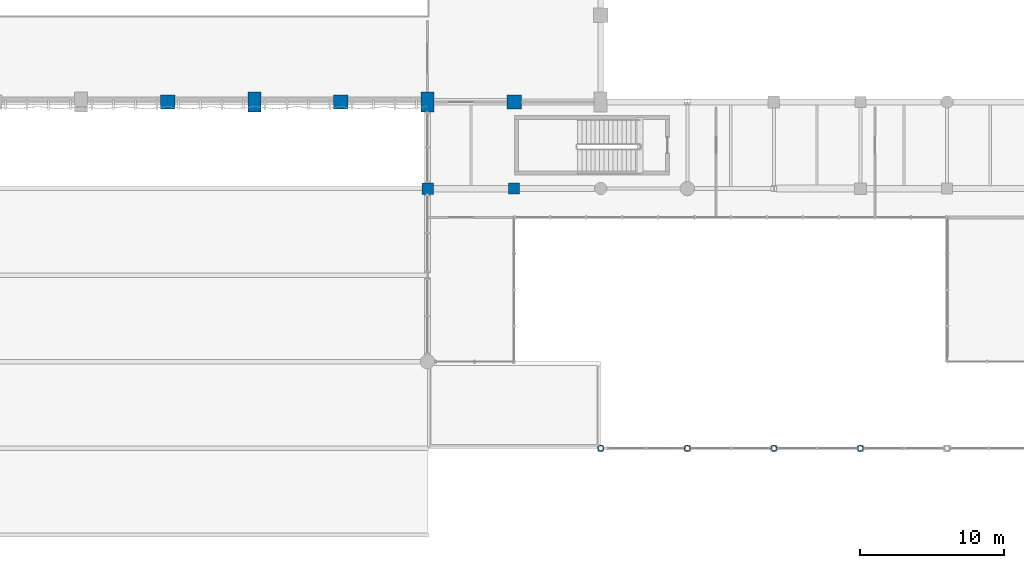
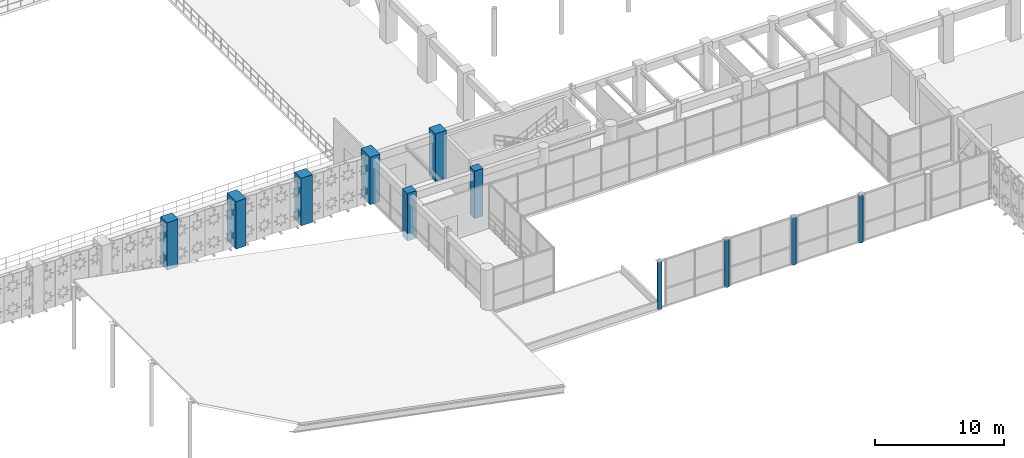
# One storey, part 3 of 133: 11 columns.
"""IFC4 building model written with IfcOpenShell, lengths in metres."""

from ifc_helpers import new_model, si_unit, direction, frame, origin, origin_2d, place, context, subcontext, project, spatial, rectangle, hollow_circle, extrude, material, material_profile, profile_set, type_object, element, save


model = new_model("IFC4")

# Units and contexts
model_context = context("Model", 3, precision=1e-05, world=origin(), true_north=direction((0.0, 1.0)))
body_context = subcontext(model_context, "Body", "Model", "MODEL_VIEW")
ifc_project = project(units=[si_unit("LENGTHUNIT", "METRE"), si_unit("AREAUNIT", "SQUARE_METRE"), si_unit("VOLUMEUNIT", "CUBIC_METRE"), si_unit("PLANEANGLEUNIT", "RADIAN"), si_unit("MASSUNIT", "GRAM", prefix="KILO"), si_unit("THERMODYNAMICTEMPERATUREUNIT", "KELVIN"), si_unit("POWERUNIT", "WATT")], contexts=[model_context])

# Site, building, storey
site_placement = place(None, origin())
site = spatial("IfcSite", under=ifc_project, at=site_placement, CompositionType="ELEMENT")
building_placement = place(site_placement, origin())
building = spatial("IfcBuilding", under=site, at=building_placement, Name="Phaisarnlok Congress Hotel", CompositionType="ELEMENT")
storey_placement = place(building_placement, frame((0.0, 0.0, 6.0)))
storey = spatial("IfcBuildingStorey", under=building, at=storey_placement, Name="L01", CompositionType="ELEMENT", Elevation=6.0)

# Columns
ifc_material_1 = material(Name="Concrete C50/60", Category="concrete")
ifc_material_profile_1 = material_profile(ifc_material_1, rectangle(XDim=1.0, YDim=1.0, at=origin_2d()), Name="RC 1000x1000")
ifc_profile_set_1 = profile_set([ifc_material_profile_1], Name="Concrete C50/60")
column_type_1 = type_object("IfcColumnType", Name="COL-RC-1000", PredefinedType="COLUMN", material=ifc_profile_set_1)
for number, where, z_axis, x_axis, name in (
    (1, (36.0, 42.0, 0.0), (0.0, 0.0, 1.0), (1.0, 0.0, 0.0), "Column C-09 (L01)"),
    (2, (48.0, 42.0, 0.0), (0.0, 0.0, 1.0), (1.0, 0.0, 0.0), "Column C-09 (L01)"),
    (3, (60.0, 42.0, 0.0), (0.0, 0.0, 1.0), (1.0, 0.0, 0.0), "Column C-09 (L01)"),
):
    element("IfcColumn", number, at=place(storey_placement, frame(where, z_axis=z_axis, x_axis=x_axis)), inside=storey, type_object=column_type_1, Name=name, PredefinedType="COLUMN", context=body_context, shape_type="SweptSolid", body=[
        extrude(rectangle(XDim=1.0, YDim=1.0, at=origin_2d()), origin(), (0.0, 0.0, 1.0), 4.5),
    ])
ifc_material_profile_2 = material_profile(ifc_material_1, rectangle(XDim=0.75, YDim=0.75, at=origin_2d()), Name="RC 750x750")
ifc_profile_set_2 = profile_set([ifc_material_profile_2], Name="Concrete C50/60")
column_type_2 = type_object("IfcColumnType", Name="COL-RC-750", PredefinedType="COLUMN", material=ifc_profile_set_2)
column_1_placement = place(storey_placement, frame((60.0, 36.0, 0.0), z_axis=(0.0, 0.0, 1.0), x_axis=(1.0, 0.0, 0.0)))
element("IfcColumn", 4, at=column_1_placement, inside=storey, type_object=column_type_2, Name="Column C-06 (L01)", PredefinedType="COLUMN", context=body_context, shape_type="SweptSolid", body=[
    extrude(rectangle(XDim=0.75, YDim=0.75, at=origin_2d()), origin(), (0.0, 0.0, 1.0), 4.5),
])
ifc_material_profile_3 = material_profile(ifc_material_1, rectangle(XDim=0.800048828125, YDim=0.800048828125, at=origin_2d()), Name="RC 800x800")
ifc_profile_set_3 = profile_set([ifc_material_profile_3], Name="Concrete C50/60")
column_type_3 = type_object("IfcColumnType", Name="COL-RC-800", PredefinedType="COLUMN", material=ifc_profile_set_3)
column_2_placement = place(storey_placement, frame((54.0, 36.0, 0.0), z_axis=(0.0, 0.0, 1.0), x_axis=(1.0, 0.0, 0.0)))
element("IfcColumn", 5, at=column_2_placement, inside=storey, type_object=column_type_3, Name="Column C-07 (L01)", PredefinedType="COLUMN", context=body_context, shape_type="SweptSolid", body=[
    extrude(rectangle(XDim=0.800048828125, YDim=0.800048828125, at=origin_2d()), origin(), (0.0, 0.0, 1.0), 4.5),
])
ifc_material_profile_4 = material_profile(ifc_material_1, rectangle(XDim=0.89990234375, YDim=1.39990234375, at=origin_2d()), Name="RC 900x1400")
ifc_profile_set_4 = profile_set([ifc_material_profile_4], Name="Concrete C50/60")
column_type_4 = type_object("IfcColumnType", Name="COL-RC-900x1400", PredefinedType="COLUMN", material=ifc_profile_set_4)
for number, where, z_axis, x_axis, name in (
    (6, (42.0, 42.0, 0.0), (0.0, 0.0, 1.0), (1.0, 0.0, 0.0), "Column C-12 (L01)"),
    (7, (54.0, 42.0, 0.0), (0.0, 0.0, 1.0), (1.0, 0.0, 0.0), "Column C-12 (L01)"),
):
    element("IfcColumn", number, at=place(storey_placement, frame(where, z_axis=z_axis, x_axis=x_axis)), inside=storey, type_object=column_type_4, Name=name, PredefinedType="COLUMN", context=body_context, shape_type="SweptSolid", body=[
        extrude(rectangle(XDim=0.89990234375, YDim=1.39990234375, at=origin_2d()), origin(), (0.0, 0.0, 1.0), 4.5),
    ])
ifc_material_2 = material(Name="Steel S355", Category="steel")
ifc_material_profile_5 = material_profile(ifc_material_2, hollow_circle(Radius=0.203125, WallThickness=0.02001953125, at=origin_2d()), Name="CHS 406.4x20")
ifc_profile_set_5 = profile_set([ifc_material_profile_5], Name="Steel S355")
column_type_5 = type_object("IfcColumnType", Name="COL-STL-CHS406-EXT", PredefinedType="COLUMN", material=ifc_profile_set_5)
for number, where, z_axis, x_axis, name in (
    (8, (66.0, 18.0, 0.0), (0.0, 0.0, 1.0), (1.0, 0.0, 0.0), "Column SC-02E (L01)"),
    (9, (72.0, 18.0, 0.0), (0.0, 0.0, 1.0), (1.0, 0.0, 0.0), "Column SC-02E (L01)"),
    (10, (78.0, 18.0, 0.0), (0.0, 0.0, 1.0), (1.0, 0.0, 0.0), "Column SC-02E (L01)"),
    (11, (84.0, 18.0, 0.0), (0.0, 0.0, 1.0), (1.0, 0.0, 0.0), "Column SC-02E (L01)"),
):
    element("IfcColumn", number, at=place(storey_placement, frame(where, z_axis=z_axis, x_axis=x_axis)), inside=storey, type_object=column_type_5, Name=name, PredefinedType="COLUMN", context=body_context, shape_type="SweptSolid", body=[
        extrude(hollow_circle(Radius=0.203125, WallThickness=0.02001953125, at=origin_2d()), origin(), (0.0, 0.0, 1.0), 4.5),
    ])

save(model, "model.ifc")
